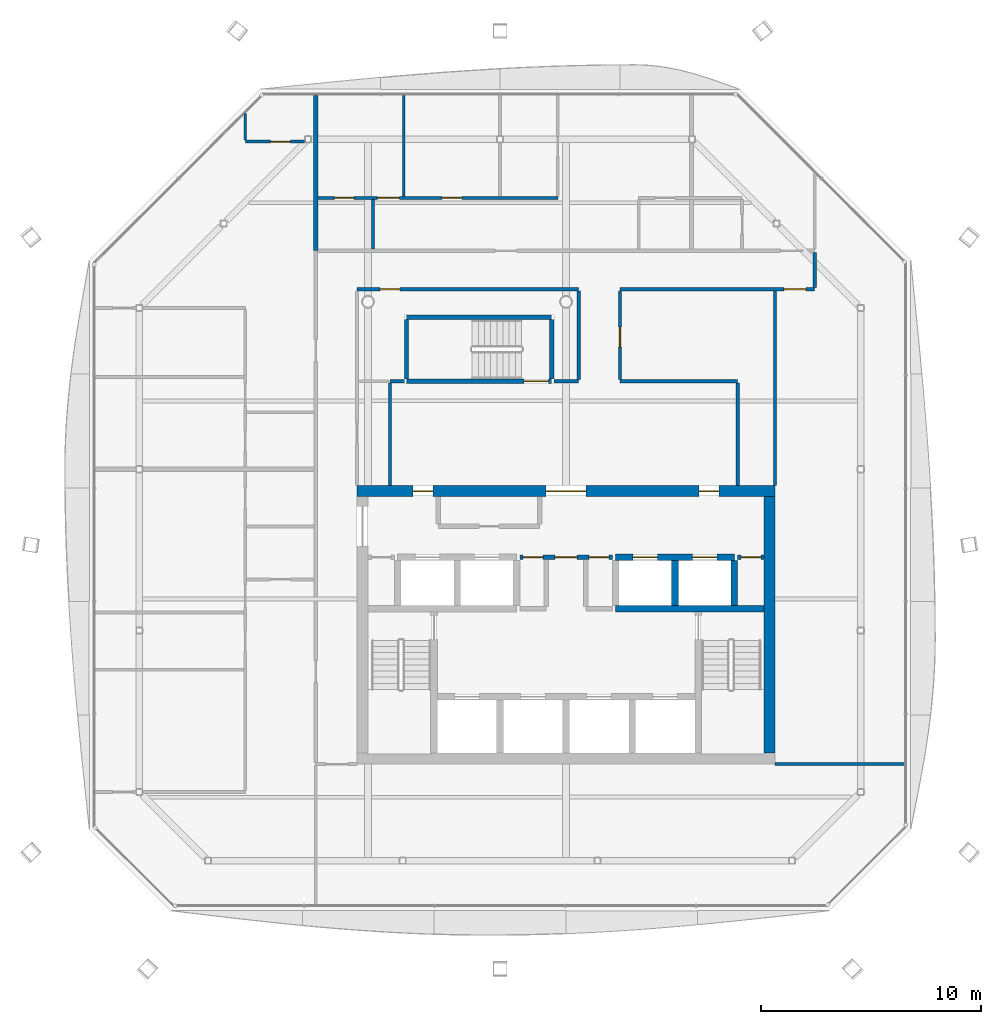
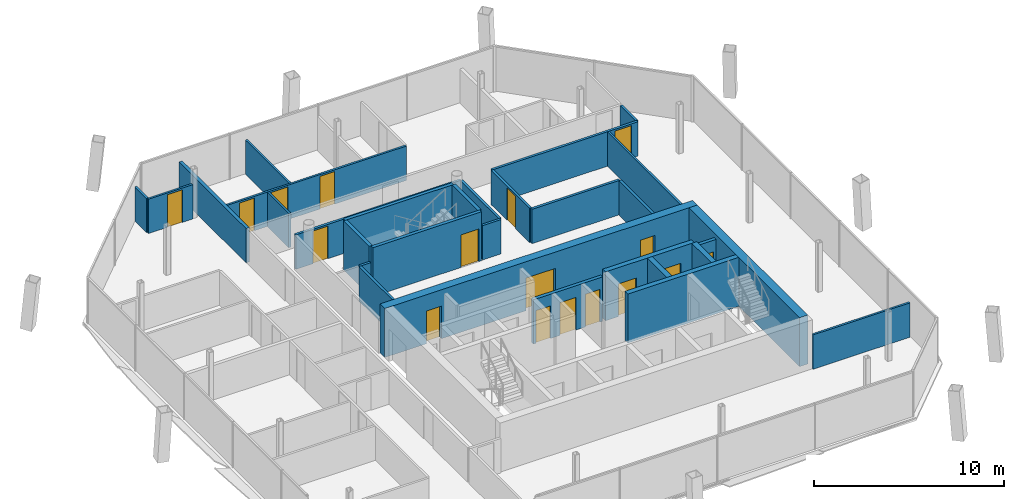
# One storey, part 13 of 17: 30 walls, 17 doors, 17 openings.
"""IFC4 building model written with IfcOpenShell, lengths in metres."""

from ifc_helpers import new_model, si_unit, direction, frame, frame_2d, origin, place, context, subcontext, project, spatial, rectangle, extrude, material, layer, layer_set, type_object, element, fill, save


model = new_model("IFC4")

# Units and contexts
model_context = context("Model", 3, precision=1e-05, world=origin(), true_north=direction((0.0, 1.0)))
body_context = subcontext(model_context, "Body", "Model", "MODEL_VIEW")
ifc_project = project(units=[si_unit("LENGTHUNIT", "METRE"), si_unit("AREAUNIT", "SQUARE_METRE"), si_unit("VOLUMEUNIT", "CUBIC_METRE"), si_unit("PLANEANGLEUNIT", "RADIAN"), si_unit("MASSUNIT", "GRAM", prefix="KILO")], contexts=[model_context])

# Site, building, storey
site_placement = place(None, origin())
site = spatial("IfcSite", under=ifc_project, at=site_placement, CompositionType="ELEMENT")
building_placement = place(site_placement, origin())
building = spatial("IfcBuilding", under=site, at=building_placement, Name="Tskaro Facet Tower", CompositionType="ELEMENT")
storey_placement = place(building_placement, frame((0.0, 0.0, 229.800048828125)))
storey = spatial("IfcBuildingStorey", under=building, at=storey_placement, Name="L59", CompositionType="ELEMENT", Elevation=229.800048828125)

# Wall
ifc_material_1 = material(Name="Concrete C60/75", Category="concrete")
ifc_layer_1 = layer(ifc_material_1, 0.300048828125, Name="Concrete C60/75")
ifc_layer_set_1 = layer_set([ifc_layer_1], Name="Concrete C60/75")
wall_type_1 = type_object("IfcWallType", Name="CORE-SHAFT", PredefinedType="SHEAR", material=ifc_layer_set_1)
wall_1_placement = place(storey_placement, frame((2.25, -4.949951171875, 0.0), z_axis=(0.0, 0.0, 1.0), x_axis=(1.0, 0.0, 0.0)))
element("IfcWall", 1, at=wall_1_placement, inside=storey, type_object=wall_type_1, Name="Shaft wall W011", PredefinedType="SHEAR", context=body_context, shape_type="SweptSolid", body=[
    extrude(rectangle(XDim=6.75, YDim=0.300048828125, at=frame_2d((3.375, 0.0))), origin(), (0.0, 0.0, 1.0), 3.14990234375),
])

# Wall, openings, doors
wall_2_placement = place(storey_placement, frame((2.25, -2.60009765625, 0.0), z_axis=(0.0, 0.0, 1.0), x_axis=(1.0, 0.0, 0.0)))
wall_2 = element("IfcWall", 2, at=wall_2_placement, inside=storey, type_object=wall_type_1, Name="Shaft wall W016", PredefinedType="SHEAR", context=body_context, shape_type="SweptSolid", body=[
    extrude(rectangle(XDim=5.39990234375, YDim=0.300048828125, at=frame_2d((2.699951171875, 0.0))), origin(), (0.0, 0.0, 1.0), 3.14990234375),
])
opening_1_placement = place(wall_2_placement, frame((0.800048828125, 0.0, 0.0)))
opening_1 = element("IfcOpeningElement", 3, at=opening_1_placement, cuts=wall_2, Name="Opening LD-HB3", PredefinedType="OPENING", context=body_context, shape_type="SweptSolid", body=[
    extrude(rectangle(XDim=1.10009765625, YDim=2.10009765625, at=frame_2d((0.550048828125, 1.050048828125))), frame((0.0, 0.159912109375, 0.0), z_axis=(0.0, -1.0, 0.0), x_axis=(1.0, 0.0, 0.0)), (0.0, 0.0, 1.0), 0.320068359375),
])
opening_2_placement = place(wall_2_placement, frame((3.5, 0.0, 0.0)))
opening_2 = element("IfcOpeningElement", 4, at=opening_2_placement, cuts=wall_2, Name="Opening LD-HB4", PredefinedType="OPENING", context=body_context, shape_type="SweptSolid", body=[
    extrude(rectangle(XDim=1.10009765625, YDim=2.10009765625, at=frame_2d((0.550048828125, 1.050048828125))), frame((0.0, 0.159912109375, 0.0), z_axis=(0.0, -1.0, 0.0), x_axis=(1.0, 0.0, 0.0)), (0.0, 0.0, 1.0), 0.320068359375),
])
ifc_material_2 = material(Name="Stainless steel", Category="steel")
door_type_1 = type_object("IfcDoorType", Name="D-LANDING", OperationType="NOTDEFINED", PredefinedType="DOOR", material=ifc_material_2)
door_1_placement = place(opening_1_placement, origin())
door_1 = element("IfcDoor", 5, at=door_1_placement, inside=storey, type_object=door_type_1, Name="Landing door HB3", OperationType="DOUBLE_DOOR_SLIDING", OverallHeight=2.10009765625, OverallWidth=1.10009765625, PredefinedType="DOOR", context=body_context, shape_type="SweptSolid", body=[
    extrude(rectangle(XDim=1.10009765625, YDim=2.10009765625, at=frame_2d((0.550048828125, 1.050048828125))), frame((0.0, 0.02490234375, 0.0), z_axis=(0.0, -1.0, 0.0), x_axis=(1.0, 0.0, 0.0)), (0.0, 0.0, 1.0), 0.050048828125),
])
fill(opening_1, door_1)
door_2_placement = place(opening_2_placement, origin())
door_2 = element("IfcDoor", 6, at=door_2_placement, inside=storey, type_object=door_type_1, Name="Landing door HB4", OperationType="DOUBLE_DOOR_SLIDING", OverallHeight=2.10009765625, OverallWidth=1.10009765625, PredefinedType="DOOR", context=body_context, shape_type="SweptSolid", body=[
    extrude(rectangle(XDim=1.10009765625, YDim=2.10009765625, at=frame_2d((0.550048828125, 1.050048828125))), frame((0.0, 0.02490234375, 0.0), z_axis=(0.0, -1.0, 0.0), x_axis=(1.0, 0.0, 0.0)), (0.0, 0.0, 1.0), 0.050048828125),
])
fill(opening_2, door_2)

# Walls
for number, where, z_axis, x_axis, name in (
    (7, (4.949951171875, -4.800048828125, 0.0), (0.0, 0.0, 1.0), (0.0, 1.0, 0.0), "Shaft wall W067"),
    (8, (7.64990234375, -4.800048828125, 0.0), (0.0, 0.0, 1.0), (0.0, 1.0, 0.0), "Shaft wall W071"),
):
    element("IfcWall", number, at=place(storey_placement, frame(where, z_axis=z_axis, x_axis=x_axis)), inside=storey, type_object=wall_type_1, Name=name, PredefinedType="SHEAR", context=body_context, shape_type="SweptSolid", body=[
        extrude(rectangle(XDim=2.050048828125, YDim=0.300048828125, at=frame_2d((1.02490234375, 0.0))), origin(), (0.0, 0.0, 1.0), 3.14990234375),
    ])

# Wall, openings, doors
ifc_material_3 = material(Name="Concrete C20/25", Category="concrete")
ifc_layer_2 = layer(ifc_material_3, 0.199951171875, Name="Concrete C20/25")
ifc_layer_set_2 = layer_set([ifc_layer_2], Name="Concrete C20/25")
wall_type_2 = type_object("IfcWallType", Name="CORE-WALL", PredefinedType="SOLIDWALL", material=ifc_layer_set_2)
wall_3_placement = place(storey_placement, frame((2.10009765625, -2.60009765625, 0.0), z_axis=(0.0, 0.0, 1.0), x_axis=(-1.0, 0.0, 0.0)))
wall_3 = element("IfcWall", 9, at=wall_3_placement, inside=storey, type_object=wall_type_2, Name="Core room wall W015", PredefinedType="SOLIDWALL", context=body_context, shape_type="SweptSolid", body=[
    extrude(rectangle(XDim=4.2001953125, YDim=0.199951171875, at=frame_2d((2.10009765625, 0.0))), origin(), (0.0, 0.0, 1.0), 2.849853515625),
])
opening_3_placement = place(wall_3_placement, frame((1.60009765625, 0.0, 0.0)))
opening_3 = element("IfcOpeningElement", 10, at=opening_3_placement, cuts=wall_3, Name="Opening FL-D1", PredefinedType="OPENING", context=body_context, shape_type="SweptSolid", body=[
    extrude(rectangle(XDim=1.0, YDim=2.10009765625, at=frame_2d((0.5, 1.050048828125))), frame((0.0, 0.10986328125, 0.0), z_axis=(0.0, -1.0, 0.0), x_axis=(1.0, 0.0, 0.0)), (0.0, 0.0, 1.0), 0.219970703125),
])
opening_4_placement = place(wall_3_placement, frame((3.14990234375, 0.0, 0.0)))
opening_4 = element("IfcOpeningElement", 11, at=opening_4_placement, cuts=wall_3, Name="Opening T17-D08", PredefinedType="OPENING", context=body_context, shape_type="SweptSolid", body=[
    extrude(rectangle(XDim=0.89990234375, YDim=2.10009765625, at=frame_2d((0.449951171875, 1.050048828125))), frame((0.0, 0.10986328125, 0.0), z_axis=(0.0, -1.0, 0.0), x_axis=(1.0, 0.0, 0.0)), (0.0, 0.0, 1.0), 0.219970703125),
])
opening_5_placement = place(wall_3_placement, frame((0.14990234375, 0.0, 0.0)))
opening_5 = element("IfcOpeningElement", 12, at=opening_5_placement, cuts=wall_3, Name="Opening T17-D09", PredefinedType="OPENING", context=body_context, shape_type="SweptSolid", body=[
    extrude(rectangle(XDim=0.89990234375, YDim=2.10009765625, at=frame_2d((0.449951171875, 1.050048828125))), frame((0.0, 0.10986328125, 0.0), z_axis=(0.0, -1.0, 0.0), x_axis=(1.0, 0.0, 0.0)), (0.0, 0.0, 1.0), 0.219970703125),
])
ifc_material_4 = material(Name="Steel", Category="steel")
door_type_2 = type_object("IfcDoorType", Name="D-LOBBY", OperationType="NOTDEFINED", PredefinedType="DOOR", material=ifc_material_4)
door_3_placement = place(opening_3_placement, origin())
door_3 = element("IfcDoor", 13, at=door_3_placement, inside=storey, type_object=door_type_2, Name="Lobby door FL", OperationType="SINGLE_SWING_RIGHT", OverallHeight=2.10009765625, OverallWidth=1.0, PredefinedType="DOOR", context=body_context, shape_type="SweptSolid", body=[
    extrude(rectangle(XDim=1.0, YDim=2.10009765625, at=frame_2d((0.5, 1.050048828125))), frame((0.0, 0.02490234375, 0.0), z_axis=(0.0, -1.0, 0.0), x_axis=(1.0, 0.0, 0.0)), (0.0, 0.0, 1.0), 0.050048828125),
])
fill(opening_3, door_3)
ifc_material_5 = material(Name="Timber", Category="wood")
door_type_3 = type_object("IfcDoorType", Name="D-ROOM", OperationType="NOTDEFINED", PredefinedType="DOOR", material=ifc_material_5)
door_4_placement = place(opening_4_placement, origin())
door_4 = element("IfcDoor", 14, at=door_4_placement, inside=storey, type_object=door_type_3, Name="Door T17-D08", OperationType="SINGLE_SWING_RIGHT", OverallHeight=2.10009765625, OverallWidth=0.89990234375, PredefinedType="DOOR", context=body_context, shape_type="SweptSolid", body=[
    extrude(rectangle(XDim=0.89990234375, YDim=2.10009765625, at=frame_2d((0.449951171875, 1.050048828125))), frame((0.0, 0.02490234375, 0.0), z_axis=(0.0, -1.0, 0.0), x_axis=(1.0, 0.0, 0.0)), (0.0, 0.0, 1.0), 0.050048828125),
])
fill(opening_4, door_4)
door_5_placement = place(opening_5_placement, origin())
door_5 = element("IfcDoor", 15, at=door_5_placement, inside=storey, type_object=door_type_3, Name="Door T17-D09", OperationType="SINGLE_SWING_RIGHT", OverallHeight=2.10009765625, OverallWidth=0.89990234375, PredefinedType="DOOR", context=body_context, shape_type="SweptSolid", body=[
    extrude(rectangle(XDim=0.89990234375, YDim=2.10009765625, at=frame_2d((0.449951171875, 1.050048828125))), frame((0.0, 0.02490234375, 0.0), z_axis=(0.0, -1.0, 0.0), x_axis=(1.0, 0.0, 0.0)), (0.0, 0.0, 1.0), 0.050048828125),
])
fill(opening_5, door_5)

# Wall, opening, door
wall_4_placement = place(storey_placement, frame((9.0, -2.60009765625, 0.0), z_axis=(0.0, 0.0, 1.0), x_axis=(-1.0, 0.0, 0.0)))
wall_4 = element("IfcWall", 16, at=wall_4_placement, inside=storey, type_object=wall_type_2, Name="Core room wall W017", PredefinedType="SOLIDWALL", context=body_context, shape_type="SweptSolid", body=[
    extrude(rectangle(XDim=1.199951171875, YDim=0.199951171875, at=frame_2d((0.60009765625, 0.0))), origin(), (0.0, 0.0, 1.0), 2.849853515625),
])
opening_6_placement = place(wall_4_placement, frame((0.14990234375, 0.0, 0.0)))
opening_6 = element("IfcOpeningElement", 17, at=opening_6_placement, cuts=wall_4, Name="Opening T17-D10", PredefinedType="OPENING", context=body_context, shape_type="SweptSolid", body=[
    extrude(rectangle(XDim=0.89990234375, YDim=2.10009765625, at=frame_2d((0.449951171875, 1.050048828125))), frame((0.0, 0.10986328125, 0.0), z_axis=(0.0, -1.0, 0.0), x_axis=(1.0, 0.0, 0.0)), (0.0, 0.0, 1.0), 0.219970703125),
])
door_6_placement = place(opening_6_placement, origin())
door_6 = element("IfcDoor", 18, at=door_6_placement, inside=storey, type_object=door_type_3, Name="Door T17-D10", OperationType="SINGLE_SWING_RIGHT", OverallHeight=2.10009765625, OverallWidth=0.89990234375, PredefinedType="DOOR", context=body_context, shape_type="SweptSolid", body=[
    extrude(rectangle(XDim=0.89990234375, YDim=2.10009765625, at=frame_2d((0.449951171875, 1.050048828125))), frame((0.0, 0.02490234375, 0.0), z_axis=(0.0, -1.0, 0.0), x_axis=(1.0, 0.0, 0.0)), (0.0, 0.0, 1.0), 0.050048828125),
])
fill(opening_6, door_6)

# Wall, openings, doors
ifc_material_6 = material(Name="Concrete C40/50", Category="concrete")
ifc_layer_3 = layer(ifc_material_6, 0.5, Name="Concrete C40/50")
ifc_layer_set_3 = layer_set([ifc_layer_3], Name="Concrete C40/50")
wall_type_3 = type_object("IfcWallType", Name="Core wall 500", PredefinedType="SHEAR", material=ifc_layer_set_3)
wall_5_placement = place(storey_placement, frame((-9.5, 0.39990234375, 0.0), z_axis=(0.0, 0.0, 1.0), x_axis=(1.0, 0.0, 0.0)))
wall_5 = element("IfcWall", 19, at=wall_5_placement, inside=storey, type_object=wall_type_3, Name="Core wall CW-Z3N", PredefinedType="SHEAR", context=body_context, shape_type="SweptSolid", body=[
    extrude(rectangle(XDim=19.0, YDim=0.5, at=frame_2d((9.5, 0.0))), origin(), (0.0, 0.0, 1.0), 3.14990234375),
])
opening_7_placement = place(wall_5_placement, frame((8.60009765625, 0.0, 0.0)))
opening_7 = element("IfcOpeningElement", 20, at=opening_7_placement, cuts=wall_5, Name="Opening T17-D15", PredefinedType="OPENING", context=body_context, shape_type="SweptSolid", body=[
    extrude(rectangle(XDim=1.800048828125, YDim=2.10009765625, at=frame_2d((0.89990234375, 1.050048828125))), frame((0.0, 0.260009765625, 0.0), z_axis=(0.0, -1.0, 0.0), x_axis=(1.0, 0.0, 0.0)), (0.0, 0.0, 1.0), 0.52001953125),
])
opening_8_placement = place(wall_5_placement, frame((2.550048828125, 0.0, 0.0)))
opening_8 = element("IfcOpeningElement", 21, at=opening_8_placement, cuts=wall_5, Name="Opening T17-D14", PredefinedType="OPENING", context=body_context, shape_type="SweptSolid", body=[
    extrude(rectangle(XDim=0.89990234375, YDim=2.10009765625, at=frame_2d((0.449951171875, 1.050048828125))), frame((0.0, 0.260009765625, 0.0), z_axis=(0.0, -1.0, 0.0), x_axis=(1.0, 0.0, 0.0)), (0.0, 0.0, 1.0), 0.52001953125),
])
opening_9_placement = place(wall_5_placement, frame((15.550048828125, 0.0, 0.0)))
opening_9 = element("IfcOpeningElement", 22, at=opening_9_placement, cuts=wall_5, Name="Opening T17-D16", PredefinedType="OPENING", context=body_context, shape_type="SweptSolid", body=[
    extrude(rectangle(XDim=0.89990234375, YDim=2.10009765625, at=frame_2d((0.449951171875, 1.050048828125))), frame((0.0, 0.260009765625, 0.0), z_axis=(0.0, -1.0, 0.0), x_axis=(1.0, 0.0, 0.0)), (0.0, 0.0, 1.0), 0.52001953125),
])
door_type_4 = type_object("IfcDoorType", Name="D-CORE-PAIR", OperationType="NOTDEFINED", PredefinedType="DOOR", material=ifc_material_4)
door_7_placement = place(opening_7_placement, origin())
door_7 = element("IfcDoor", 23, at=door_7_placement, inside=storey, type_object=door_type_4, Name="Door T17-D15", OperationType="DOUBLE_DOOR_SINGLE_SWING", OverallHeight=2.10009765625, OverallWidth=1.800048828125, PredefinedType="DOOR", context=body_context, shape_type="SweptSolid", body=[
    extrude(rectangle(XDim=1.800048828125, YDim=2.10009765625, at=frame_2d((0.89990234375, 1.050048828125))), frame((0.0, 0.02490234375, 0.0), z_axis=(0.0, -1.0, 0.0), x_axis=(1.0, 0.0, 0.0)), (0.0, 0.0, 1.0), 0.050048828125),
])
fill(opening_7, door_7)
door_8_placement = place(opening_8_placement, origin())
door_8 = element("IfcDoor", 24, at=door_8_placement, inside=storey, type_object=door_type_3, Name="Door T17-D14", OperationType="SINGLE_SWING_LEFT", OverallHeight=2.10009765625, OverallWidth=0.89990234375, PredefinedType="DOOR", context=body_context, shape_type="SweptSolid", body=[
    extrude(rectangle(XDim=0.89990234375, YDim=2.10009765625, at=frame_2d((0.449951171875, 1.050048828125))), frame((0.0, 0.02490234375, 0.0), z_axis=(0.0, -1.0, 0.0), x_axis=(1.0, 0.0, 0.0)), (0.0, 0.0, 1.0), 0.050048828125),
])
fill(opening_8, door_8)
door_9_placement = place(opening_9_placement, origin())
door_9 = element("IfcDoor", 25, at=door_9_placement, inside=storey, type_object=door_type_3, Name="Door T17-D16", OperationType="SINGLE_SWING_LEFT", OverallHeight=2.10009765625, OverallWidth=0.89990234375, PredefinedType="DOOR", context=body_context, shape_type="SweptSolid", body=[
    extrude(rectangle(XDim=0.89990234375, YDim=2.10009765625, at=frame_2d((0.449951171875, 1.050048828125))), frame((0.0, 0.02490234375, 0.0), z_axis=(0.0, -1.0, 0.0), x_axis=(1.0, 0.0, 0.0)), (0.0, 0.0, 1.0), 0.050048828125),
])
fill(opening_9, door_9)

# Walls
wall_6_placement = place(storey_placement, frame((9.25, -11.5, 0.0), z_axis=(0.0, 0.0, 1.0), x_axis=(0.0, 1.0, 0.0)))
element("IfcWall", 26, at=wall_6_placement, inside=storey, type_object=wall_type_3, Name="Core wall CW-Z3E", PredefinedType="SHEAR", context=body_context, shape_type="SweptSolid", body=[
    extrude(rectangle(XDim=11.64990234375, YDim=0.5, at=frame_2d((5.824951171875, 0.0))), origin(), (0.0, 0.0, 1.0), 3.14990234375),
])
ifc_material_7 = material(Name="Gypsum board on steel studs", Category="steel")
ifc_layer_4 = layer(ifc_material_7, 0.125, Name="Gypsum board on steel studs")
ifc_layer_set_4 = layer_set([ifc_layer_4], Name="Gypsum board on steel studs")
wall_type_4 = type_object("IfcWallType", Name="PART", PredefinedType="PARTITIONING", material=ifc_layer_set_4)
wall_7_placement = place(storey_placement, frame((9.5, -12.0, 0.0), z_axis=(0.0, 0.0, 1.0), x_axis=(1.0, 0.0, 0.0)))
element("IfcWall", 27, at=wall_7_placement, inside=storey, type_object=wall_type_4, Name="Partition W004", PredefinedType="PARTITIONING", context=body_context, shape_type="SweptSolid", body=[
    extrude(rectangle(XDim=5.886962890625, YDim=0.125, at=frame_2d((2.943359375, 0.0))), origin(), (0.0, 0.0, 1.0), 2.2099609375),
])

# Wall, openings, doors
wall_8_placement = place(storey_placement, frame((-11.27490234375, 13.72509765625, 0.0), z_axis=(0.0, 0.0, 1.0), x_axis=(1.0, 0.0, 0.0)))
wall_8 = element("IfcWall", 28, at=wall_8_placement, inside=storey, type_object=wall_type_4, Name="Partition W035", PredefinedType="PARTITIONING", context=body_context, shape_type="SweptSolid", body=[
    extrude(rectangle(XDim=10.89990234375, YDim=0.125, at=frame_2d((5.449951171875, 0.0))), origin(), (0.0, 0.0, 1.0), 2.2099609375),
])
opening_10_placement = place(wall_8_placement, frame((5.637451171875, 0.0, 0.0)))
opening_10 = element("IfcOpeningElement", 29, at=opening_10_placement, cuts=wall_8, Name="Opening T17-D30", PredefinedType="OPENING", context=body_context, shape_type="SweptSolid", body=[
    extrude(rectangle(XDim=0.89990234375, YDim=2.10009765625, at=frame_2d((0.449951171875, 1.050048828125))), frame((0.0, 0.072509765625, 0.0), z_axis=(0.0, -1.0, 0.0), x_axis=(1.0, 0.0, 0.0)), (0.0, 0.0, 1.0), 0.14501953125),
])
opening_11_placement = place(wall_8_placement, frame((2.699951171875, 0.0, 0.0)))
opening_11 = element("IfcOpeningElement", 30, at=opening_11_placement, cuts=wall_8, Name="Opening T17-D29", PredefinedType="OPENING", context=body_context, shape_type="SweptSolid", body=[
    extrude(rectangle(XDim=1.0, YDim=2.10009765625, at=frame_2d((0.5, 1.050048828125))), frame((0.0, 0.072509765625, 0.0), z_axis=(0.0, -1.0, 0.0), x_axis=(1.0, 0.0, 0.0)), (0.0, 0.0, 1.0), 0.14501953125),
])
opening_12_placement = place(wall_8_placement, frame((0.75, 0.0, 0.0)))
opening_12 = element("IfcOpeningElement", 31, at=opening_12_placement, cuts=wall_8, Name="Opening T17-D28", PredefinedType="OPENING", context=body_context, shape_type="SweptSolid", body=[
    extrude(rectangle(XDim=0.89990234375, YDim=2.10009765625, at=frame_2d((0.449951171875, 1.050048828125))), frame((0.0, 0.072509765625, 0.0), z_axis=(0.0, -1.0, 0.0), x_axis=(1.0, 0.0, 0.0)), (0.0, 0.0, 1.0), 0.14501953125),
])
door_10_placement = place(opening_10_placement, origin())
door_10 = element("IfcDoor", 32, at=door_10_placement, inside=storey, type_object=door_type_3, Name="Door T17-D30", OperationType="SINGLE_SWING_LEFT", OverallHeight=2.10009765625, OverallWidth=0.89990234375, PredefinedType="DOOR", context=body_context, shape_type="SweptSolid", body=[
    extrude(rectangle(XDim=0.89990234375, YDim=2.10009765625, at=frame_2d((0.449951171875, 1.050048828125))), frame((0.0, 0.02490234375, 0.0), z_axis=(0.0, -1.0, 0.0), x_axis=(1.0, 0.0, 0.0)), (0.0, 0.0, 1.0), 0.050048828125),
])
fill(opening_10, door_10)
door_11_placement = place(opening_12_placement, origin())
door_11 = element("IfcDoor", 33, at=door_11_placement, inside=storey, type_object=door_type_3, Name="Door T17-D28", OperationType="SINGLE_SWING_RIGHT", OverallHeight=2.10009765625, OverallWidth=0.89990234375, PredefinedType="DOOR", context=body_context, shape_type="SweptSolid", body=[
    extrude(rectangle(XDim=0.89990234375, YDim=2.10009765625, at=frame_2d((0.449951171875, 1.050048828125))), frame((0.0, 0.02490234375, 0.0), z_axis=(0.0, -1.0, 0.0), x_axis=(1.0, 0.0, 0.0)), (0.0, 0.0, 1.0), 0.050048828125),
])
fill(opening_12, door_11)
door_type_5 = type_object("IfcDoorType", Name="D-ROOM-WIDE", OperationType="NOTDEFINED", PredefinedType="DOOR", material=ifc_material_5)
door_12_placement = place(opening_11_placement, origin())
door_12 = element("IfcDoor", 34, at=door_12_placement, inside=storey, type_object=door_type_5, Name="Door T17-D29", OperationType="SINGLE_SWING_RIGHT", OverallHeight=2.10009765625, OverallWidth=1.0, PredefinedType="DOOR", context=body_context, shape_type="SweptSolid", body=[
    extrude(rectangle(XDim=1.0, YDim=2.10009765625, at=frame_2d((0.5, 1.050048828125))), frame((0.0, 0.02490234375, 0.0), z_axis=(0.0, -1.0, 0.0), x_axis=(1.0, 0.0, 0.0)), (0.0, 0.0, 1.0), 0.050048828125),
])
fill(opening_11, door_12)

# Wall, opening, door
wall_9_placement = place(storey_placement, frame((-14.574951171875, 16.284912109375, 0.0), z_axis=(0.0, 0.0, 1.0), x_axis=(1.0, 0.0, 0.0)))
wall_9 = element("IfcWall", 35, at=wall_9_placement, inside=storey, type_object=wall_type_4, Name="Partition W037", PredefinedType="PARTITIONING", context=body_context, shape_type="SweptSolid", body=[
    extrude(rectangle(XDim=2.699951171875, YDim=0.125, at=frame_2d((1.35009765625, 0.0))), origin(), (0.0, 0.0, 1.0), 2.2099609375),
])
opening_13_placement = place(wall_9_placement, frame((1.14990234375, 0.0, 0.0)))
opening_13 = element("IfcOpeningElement", 36, at=opening_13_placement, cuts=wall_9, Name="Opening T17-D33", PredefinedType="OPENING", context=body_context, shape_type="SweptSolid", body=[
    extrude(rectangle(XDim=0.89990234375, YDim=2.10009765625, at=frame_2d((0.449951171875, 1.050048828125))), frame((0.0, 0.072509765625, 0.0), z_axis=(0.0, -1.0, 0.0), x_axis=(1.0, 0.0, 0.0)), (0.0, 0.0, 1.0), 0.14501953125),
])
door_13_placement = place(opening_13_placement, origin())
door_13 = element("IfcDoor", 37, at=door_13_placement, inside=storey, type_object=door_type_3, Name="Door T17-D33", OperationType="SINGLE_SWING_LEFT", OverallHeight=2.10009765625, OverallWidth=0.89990234375, PredefinedType="DOOR", context=body_context, shape_type="SweptSolid", body=[
    extrude(rectangle(XDim=0.89990234375, YDim=2.10009765625, at=frame_2d((0.449951171875, 1.050048828125))), frame((0.0, 0.02490234375, 0.0), z_axis=(0.0, -1.0, 0.0), x_axis=(1.0, 0.0, 0.0)), (0.0, 0.0, 1.0), 0.050048828125),
])
fill(opening_13, door_13)

# Walls
wall_10_placement = place(storey_placement, frame((-14.574951171875, 16.347412109375, 0.0), z_axis=(0.0, 0.0, 1.0), x_axis=(0.0, 1.0, 0.0)))
element("IfcWall", 38, at=wall_10_placement, inside=storey, type_object=wall_type_4, Name="Partition W039", PredefinedType="PARTITIONING", context=body_context, shape_type="SweptSolid", body=[
    extrude(rectangle(XDim=1.2236328125, YDim=0.125, at=frame_2d((0.61181640625, 0.0))), origin(), (0.0, 0.0, 1.0), 2.2099609375),
])
wall_11_placement = place(storey_placement, frame((-8.77490234375, 11.39990234375, 0.0), z_axis=(0.0, 0.0, 1.0), x_axis=(0.0, 1.0, 0.0)))
element("IfcWall", 39, at=wall_11_placement, inside=storey, type_object=wall_type_4, Name="Partition W044", PredefinedType="PARTITIONING", context=body_context, shape_type="SweptSolid", body=[
    extrude(rectangle(XDim=2.2626953125, YDim=0.125, at=frame_2d((1.13134765625, 0.0))), origin(), (0.0, 0.0, 1.0), 2.2099609375),
])
wall_12_placement = place(storey_placement, frame((-7.375, 13.78759765625, 0.0), z_axis=(0.0, 0.0, 1.0), x_axis=(0.0, 1.0, 0.0)))
element("IfcWall", 40, at=wall_12_placement, inside=storey, type_object=wall_type_4, Name="Partition W047", PredefinedType="PARTITIONING", context=body_context, shape_type="SweptSolid", body=[
    extrude(rectangle(XDim=4.597412109375, YDim=0.125, at=frame_2d((2.298828125, 0.0))), origin(), (0.0, 0.0, 1.0), 2.2099609375),
])
wall_13_placement = place(storey_placement, frame((9.5, 0.64990234375, 0.0), z_axis=(0.0, 0.0, 1.0), x_axis=(0.0, 1.0, 0.0)))
element("IfcWall", 41, at=wall_13_placement, inside=storey, type_object=wall_type_4, Name="Partition W074", PredefinedType="PARTITIONING", context=body_context, shape_type="SweptSolid", body=[
    extrude(rectangle(XDim=8.85009765625, YDim=0.125, at=frame_2d((4.425048828125, 0.0))), origin(), (0.0, 0.0, 1.0), 2.2099609375),
])
ifc_layer_5 = layer(ifc_material_7, 0.14990234375, Name="Gypsum board on steel studs")
ifc_layer_set_5 = layer_set([ifc_layer_5], Name="Gypsum board on steel studs")
wall_type_5 = type_object("IfcWallType", Name="PART-CORR", PredefinedType="PARTITIONING", material=ifc_layer_set_5)
wall_14_placement = place(storey_placement, frame((-8.0, 5.39990234375, 0.0), z_axis=(0.0, 0.0, 1.0), x_axis=(1.0, 0.0, 0.0)))
element("IfcWall", 42, at=wall_14_placement, inside=storey, type_object=wall_type_5, Name="Corridor wall W024", PredefinedType="PARTITIONING", context=body_context, shape_type="SweptSolid", body=[
    extrude(rectangle(XDim=0.64990234375, YDim=0.14990234375, at=frame_2d((0.324951171875, 0.0))), origin(), (0.0, 0.0, 1.0), 2.2099609375),
])
wall_15_placement = place(storey_placement, frame((-0.550048828125, 5.39990234375, 0.0), z_axis=(0.0, 0.0, 1.0), x_axis=(1.0, 0.0, 0.0)))
element("IfcWall", 43, at=wall_15_placement, inside=storey, type_object=wall_type_5, Name="Corridor wall W026", PredefinedType="PARTITIONING", context=body_context, shape_type="SweptSolid", body=[
    extrude(rectangle(XDim=1.125, YDim=0.14990234375, at=frame_2d((0.5625, 0.0))), origin(), (0.0, 0.0, 1.0), 2.2099609375),
])
wall_16_placement = place(storey_placement, frame((2.449951171875, 5.39990234375, 0.0), z_axis=(0.0, 0.0, 1.0), x_axis=(1.0, 0.0, 0.0)))
element("IfcWall", 44, at=wall_16_placement, inside=storey, type_object=wall_type_5, Name="Corridor wall W027", PredefinedType="PARTITIONING", context=body_context, shape_type="SweptSolid", body=[
    extrude(rectangle(XDim=5.35009765625, YDim=0.14990234375, at=frame_2d((2.675048828125, 0.0))), origin(), (0.0, 0.0, 1.0), 2.2099609375),
])

# Wall, opening, door
wall_17_placement = place(storey_placement, frame((0.574951171875, 9.574951171875, 0.0), z_axis=(0.0, 0.0, 1.0), x_axis=(-1.0, 0.0, 0.0)))
wall_17 = element("IfcWall", 45, at=wall_17_placement, inside=storey, type_object=wall_type_5, Name="Corridor wall W032", PredefinedType="PARTITIONING", context=body_context, shape_type="SweptSolid", body=[
    extrude(rectangle(XDim=10.074951171875, YDim=0.14990234375, at=frame_2d((5.03759765625, 0.0))), origin(), (0.0, 0.0, 1.0), 2.2099609375),
])
opening_14_placement = place(wall_17_placement, frame((8.125, 0.0, 0.0)))
opening_14 = element("IfcOpeningElement", 46, at=opening_14_placement, cuts=wall_17, Name="Opening T17-D23", PredefinedType="OPENING", context=body_context, shape_type="SweptSolid", body=[
    extrude(rectangle(XDim=0.89990234375, YDim=2.10009765625, at=frame_2d((0.449951171875, 1.050048828125))), frame((0.0, 0.0849609375, 0.0), z_axis=(0.0, -1.0, 0.0), x_axis=(1.0, 0.0, 0.0)), (0.0, 0.0, 1.0), 0.169921875),
])
door_14_placement = place(opening_14_placement, origin())
door_14 = element("IfcDoor", 47, at=door_14_placement, inside=storey, type_object=door_type_3, Name="Door T17-D23", OperationType="SINGLE_SWING_RIGHT", OverallHeight=2.10009765625, OverallWidth=0.89990234375, PredefinedType="DOOR", context=body_context, shape_type="SweptSolid", body=[
    extrude(rectangle(XDim=0.89990234375, YDim=2.10009765625, at=frame_2d((0.449951171875, 1.050048828125))), frame((0.0, 0.02490234375, 0.0), z_axis=(0.0, -1.0, 0.0), x_axis=(1.0, 0.0, 0.0)), (0.0, 0.0, 1.0), 0.050048828125),
])
fill(opening_14, door_14)

wall_18_placement = place(storey_placement, frame((11.300048828125, 9.574951171875, 0.0), z_axis=(0.0, 0.0, 1.0), x_axis=(-1.0, 0.0, 0.0)))
wall_18 = element("IfcWall", 48, at=wall_18_placement, inside=storey, type_object=wall_type_5, Name="Corridor wall W033", PredefinedType="PARTITIONING", context=body_context, shape_type="SweptSolid", body=[
    extrude(rectangle(XDim=8.85009765625, YDim=0.14990234375, at=frame_2d((4.425048828125, 0.0))), origin(), (0.0, 0.0, 1.0), 2.2099609375),
])
opening_15_placement = place(wall_18_placement, frame((0.39990234375, 0.0, 0.0)))
opening_15 = element("IfcOpeningElement", 49, at=opening_15_placement, cuts=wall_18, Name="Opening T17-D24", PredefinedType="OPENING", context=body_context, shape_type="SweptSolid", body=[
    extrude(rectangle(XDim=1.0, YDim=2.10009765625, at=frame_2d((0.5, 1.050048828125))), frame((0.0, 0.0849609375, 0.0), z_axis=(0.0, -1.0, 0.0), x_axis=(1.0, 0.0, 0.0)), (0.0, 0.0, 1.0), 0.169921875),
])
door_15_placement = place(opening_15_placement, origin())
door_15 = element("IfcDoor", 50, at=door_15_placement, inside=storey, type_object=door_type_5, Name="Door T17-D24", OperationType="SINGLE_SWING_RIGHT", OverallHeight=2.10009765625, OverallWidth=1.0, PredefinedType="DOOR", context=body_context, shape_type="SweptSolid", body=[
    extrude(rectangle(XDim=1.0, YDim=2.10009765625, at=frame_2d((0.5, 1.050048828125))), frame((0.0, 0.02490234375, 0.0), z_axis=(0.0, -1.0, 0.0), x_axis=(1.0, 0.0, 0.0)), (0.0, 0.0, 1.0), 0.050048828125),
])
fill(opening_15, door_15)

# Walls
wall_19_placement = place(storey_placement, frame((-8.0, 0.64990234375, 0.0), z_axis=(0.0, 0.0, 1.0), x_axis=(0.0, 1.0, 0.0)))
element("IfcWall", 51, at=wall_19_placement, inside=storey, type_object=wall_type_5, Name="Corridor wall W045", PredefinedType="PARTITIONING", context=body_context, shape_type="SweptSolid", body=[
    extrude(rectangle(XDim=4.675048828125, YDim=0.14990234375, at=frame_2d((2.33740234375, 0.0))), origin(), (0.0, 0.0, 1.0), 2.2099609375),
])
wall_20_placement = place(storey_placement, frame((0.574951171875, 5.47509765625, 0.0), z_axis=(0.0, 0.0, 1.0), x_axis=(0.0, 1.0, 0.0)))
element("IfcWall", 52, at=wall_20_placement, inside=storey, type_object=wall_type_5, Name="Corridor wall W061", PredefinedType="PARTITIONING", context=body_context, shape_type="SweptSolid", body=[
    extrude(rectangle(XDim=4.02490234375, YDim=0.14990234375, at=frame_2d((2.012451171875, 0.0))), origin(), (0.0, 0.0, 1.0), 2.2099609375),
])

# Wall, opening, door
wall_21_placement = place(storey_placement, frame((2.449951171875, 9.5, 0.0), z_axis=(0.0, 0.0, 1.0), x_axis=(0.0, -1.0, 0.0)))
wall_21 = element("IfcWall", 53, at=wall_21_placement, inside=storey, type_object=wall_type_5, Name="Corridor wall W064", PredefinedType="PARTITIONING", context=body_context, shape_type="SweptSolid", body=[
    extrude(rectangle(XDim=4.02490234375, YDim=0.14990234375, at=frame_2d((2.012451171875, 0.0))), origin(), (0.0, 0.0, 1.0), 2.2099609375),
])
opening_16_placement = place(wall_21_placement, frame((1.64990234375, 0.0, 0.0)))
opening_16 = element("IfcOpeningElement", 54, at=opening_16_placement, cuts=wall_21, Name="Opening T17-D21", PredefinedType="OPENING", context=body_context, shape_type="SweptSolid", body=[
    extrude(rectangle(XDim=0.89990234375, YDim=2.10009765625, at=frame_2d((0.449951171875, 1.050048828125))), frame((0.0, 0.0849609375, 0.0), z_axis=(0.0, -1.0, 0.0), x_axis=(1.0, 0.0, 0.0)), (0.0, 0.0, 1.0), 0.169921875),
])
door_16_placement = place(opening_16_placement, origin())
door_16 = element("IfcDoor", 55, at=door_16_placement, inside=storey, type_object=door_type_3, Name="Door T17-D21", OperationType="SINGLE_SWING_RIGHT", OverallHeight=2.10009765625, OverallWidth=0.89990234375, PredefinedType="DOOR", context=body_context, shape_type="SweptSolid", body=[
    extrude(rectangle(XDim=0.89990234375, YDim=2.10009765625, at=frame_2d((0.449951171875, 1.050048828125))), frame((0.0, 0.02490234375, 0.0), z_axis=(0.0, -1.0, 0.0), x_axis=(1.0, 0.0, 0.0)), (0.0, 0.0, 1.0), 0.050048828125),
])
fill(opening_16, door_16)

# Walls
wall_22_placement = place(storey_placement, frame((7.800048828125, 0.64990234375, 0.0), z_axis=(0.0, 0.0, 1.0), x_axis=(0.0, 1.0, 0.0)))
element("IfcWall", 56, at=wall_22_placement, inside=storey, type_object=wall_type_5, Name="Corridor wall W072", PredefinedType="PARTITIONING", context=body_context, shape_type="SweptSolid", body=[
    extrude(rectangle(XDim=4.675048828125, YDim=0.14990234375, at=frame_2d((2.33740234375, 0.0))), origin(), (0.0, 0.0, 1.0), 2.2099609375),
])
wall_23_placement = place(storey_placement, frame((11.300048828125, 9.64990234375, 0.0), z_axis=(0.0, 0.0, 1.0), x_axis=(0.0, 1.0, 0.0)))
element("IfcWall", 57, at=wall_23_placement, inside=storey, type_object=wall_type_5, Name="Corridor wall W075", PredefinedType="PARTITIONING", context=body_context, shape_type="SweptSolid", body=[
    extrude(rectangle(XDim=1.60009765625, YDim=0.14990234375, at=frame_2d((0.800048828125, 0.0))), origin(), (0.0, 0.0, 1.0), 2.2099609375),
])
ifc_layer_6 = layer(ifc_material_7, 0.199951171875, Name="Gypsum board on steel studs")
ifc_layer_set_6 = layer_set([ifc_layer_6], Name="Gypsum board on steel studs")
wall_type_6 = type_object("IfcWallType", Name="PART-DEMISING", PredefinedType="PARTITIONING", material=ifc_layer_set_6)
wall_24_placement = place(storey_placement, frame((-11.375, 11.324951171875, 0.0), z_axis=(0.0, 0.0, 1.0), x_axis=(0.0, 1.0, 0.0)))
element("IfcWall", 58, at=wall_24_placement, inside=storey, type_object=wall_type_6, Name="Guest room wall W042", PredefinedType="PARTITIONING", context=body_context, shape_type="SweptSolid", body=[
    extrude(rectangle(XDim=7.06005859375, YDim=0.199951171875, at=frame_2d((3.530029296875, 0.0))), origin(), (0.0, 0.0, 1.0), 2.2099609375),
])

# Wall, opening, door
ifc_layer_7 = layer(ifc_material_1, 0.199951171875, Name="Concrete C60/75")
ifc_layer_set_7 = layer_set([ifc_layer_7], Name="Concrete C60/75")
wall_type_7 = type_object("IfcWallType", Name="STAIR-WALL", PredefinedType="SHEAR", material=ifc_layer_set_7)
wall_25_placement = place(storey_placement, frame((-7.25, 5.39990234375, 0.0), z_axis=(0.0, 0.0, 1.0), x_axis=(1.0, 0.0, 0.0)))
wall_25 = element("IfcWall", 59, at=wall_25_placement, inside=storey, type_object=wall_type_7, Name="Stair wall W025", PredefinedType="SHEAR", context=body_context, shape_type="SweptSolid", body=[
    extrude(rectangle(XDim=6.60009765625, YDim=0.199951171875, at=frame_2d((3.300048828125, 0.0))), origin(), (0.0, 0.0, 1.0), 3.14990234375),
])
opening_17_placement = place(wall_25_placement, frame((5.35009765625, 0.0, 0.0)))
opening_17 = element("IfcOpeningElement", 60, at=opening_17_placement, cuts=wall_25, Name="Opening ST-3-D1", PredefinedType="OPENING", context=body_context, shape_type="SweptSolid", body=[
    extrude(rectangle(XDim=1.10009765625, YDim=2.10009765625, at=frame_2d((0.550048828125, 1.050048828125))), frame((0.0, 0.10986328125, 0.0), z_axis=(0.0, -1.0, 0.0), x_axis=(1.0, 0.0, 0.0)), (0.0, 0.0, 1.0), 0.219970703125),
])
door_type_6 = type_object("IfcDoorType", Name="D-STAIR", OperationType="NOTDEFINED", PredefinedType="DOOR", material=ifc_material_4)
door_17_placement = place(opening_17_placement, origin())
door_17 = element("IfcDoor", 61, at=door_17_placement, inside=storey, type_object=door_type_6, Name="Stair door 3", OperationType="SINGLE_SWING_LEFT", OverallHeight=2.10009765625, OverallWidth=1.10009765625, PredefinedType="DOOR", context=body_context, shape_type="SweptSolid", body=[
    extrude(rectangle(XDim=1.10009765625, YDim=2.10009765625, at=frame_2d((0.550048828125, 1.050048828125))), frame((0.0, 0.02490234375, 0.0), z_axis=(0.0, -1.0, 0.0), x_axis=(1.0, 0.0, 0.0)), (0.0, 0.0, 1.0), 0.050048828125),
])
fill(opening_17, door_17)

# Walls
wall_26_placement = place(storey_placement, frame((-7.25, 8.300048828125, 0.0), z_axis=(0.0, 0.0, 1.0), x_axis=(1.0, 0.0, 0.0)))
element("IfcWall", 62, at=wall_26_placement, inside=storey, type_object=wall_type_7, Name="Stair wall W029", PredefinedType="SHEAR", context=body_context, shape_type="SweptSolid", body=[
    extrude(rectangle(XDim=6.60009765625, YDim=0.199951171875, at=frame_2d((3.300048828125, 0.0))), origin(), (0.0, 0.0, 1.0), 3.14990234375),
])
for number, where, z_axis, x_axis, name in (
    (63, (-7.25, 5.5, 0.0), (0.0, 0.0, 1.0), (0.0, 1.0, 0.0), "Stair wall W048"),
    (64, (-0.64990234375, 5.5, 0.0), (0.0, 0.0, 1.0), (0.0, 1.0, 0.0), "Stair wall W058"),
):
    element("IfcWall", number, at=place(storey_placement, frame(where, z_axis=z_axis, x_axis=x_axis)), inside=storey, type_object=wall_type_7, Name=name, PredefinedType="SHEAR", context=body_context, shape_type="SweptSolid", body=[
        extrude(rectangle(XDim=2.699951171875, YDim=0.199951171875, at=frame_2d((1.35009765625, 0.0))), origin(), (0.0, 0.0, 1.0), 3.14990234375),
    ])

save(model, "model.ifc")
